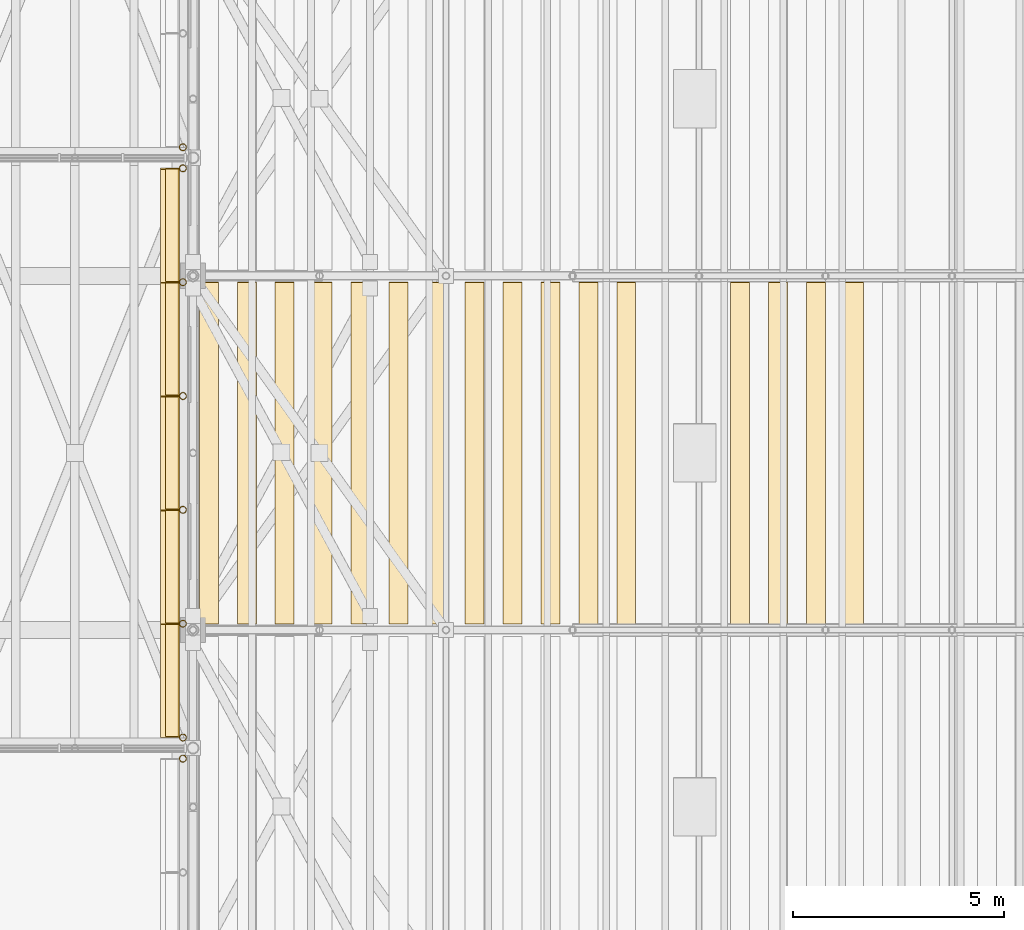
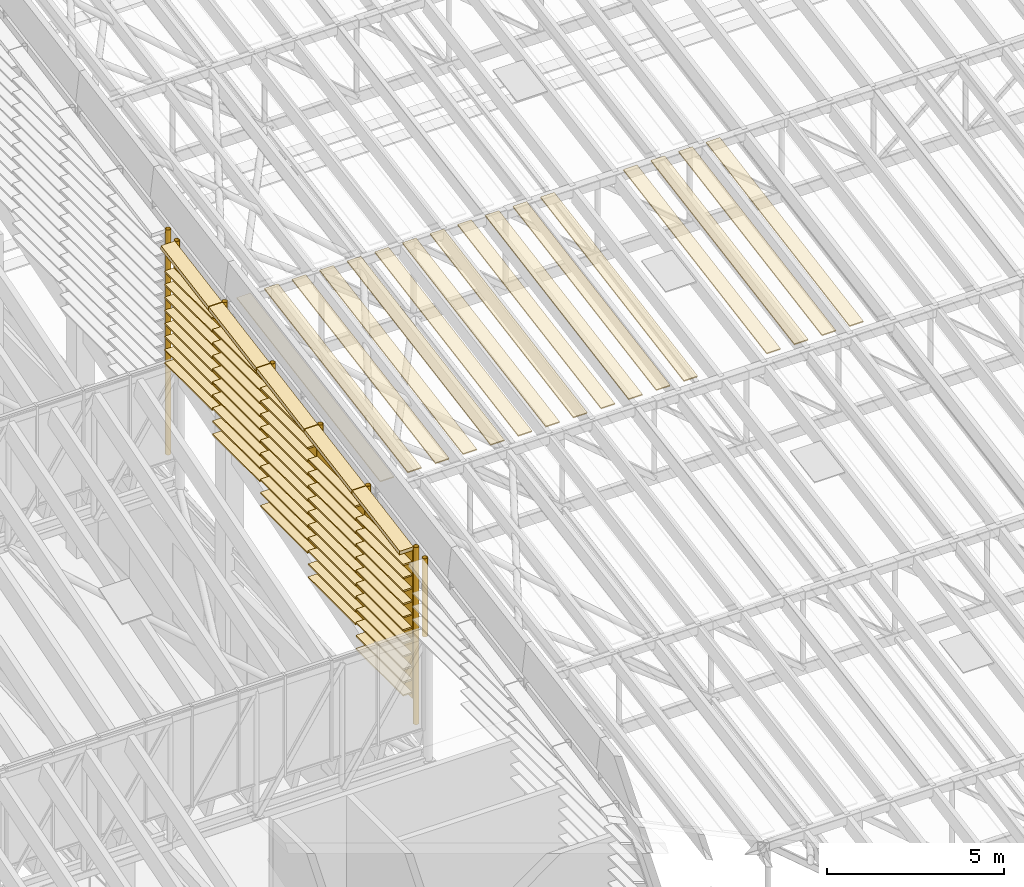
# One storey, part 81 of 91: 74 coverings, 8 shading devices.
"""IFC4 building model written with IfcOpenShell, lengths in metres."""

from ifc_helpers import new_model, si_unit, direction, frame, origin, origin_2d, place, context, subcontext, project, spatial, polyline, rectangle, hollow_circle, outline, extrude, material, layer, layer_set, material_profile, profile_set, type_object, element, save


model = new_model("IFC4")

# Units and contexts
model_context = context("Model", 3, precision=1e-05, world=origin(), true_north=direction((0.0, 1.0)))
body_context = subcontext(model_context, "Body", "Model", "MODEL_VIEW")
ifc_project = project(units=[si_unit("LENGTHUNIT", "METRE"), si_unit("AREAUNIT", "SQUARE_METRE"), si_unit("VOLUMEUNIT", "CUBIC_METRE"), si_unit("PLANEANGLEUNIT", "RADIAN"), si_unit("MASSUNIT", "GRAM", prefix="KILO")], contexts=[model_context])

# Site, building, storey
site_placement = place(None, origin())
site = spatial("IfcSite", under=ifc_project, at=site_placement, CompositionType="ELEMENT")
building_placement = place(site_placement, origin())
building = spatial("IfcBuilding", under=site, at=building_placement, Name="Almond Square Museum", CompositionType="ELEMENT")
storey_placement = place(building_placement, frame((0.0, 0.0, 30.0)))
storey = spatial("IfcBuildingStorey", under=building, at=storey_placement, Name="L05", CompositionType="ELEMENT", Elevation=30.0)

# Coverings
ifc_material_1 = material(Name="Cedar timber roof board", Category="wood")
ifc_layer_1 = layer(ifc_material_1, 0.0400390625)
ifc_layer_set_1 = layer_set([ifc_layer_1], Name="Cedar timber roof board")
covering_type_1 = type_object("IfcCoveringType", Name="Hall roof board 450 x 40", PredefinedType="CLADDING", material=ifc_layer_set_1)
for number, where, z_axis, x_axis, name in (
    (1, (107.39990234375, 92.25, 13.82373046875), (0.0, -0.17237601069, 0.985031223332), (-1.0, 0.0, 0.0), "Hall roof board"),
    (2, (108.300048828125, 92.25, 13.82373046875), (0.0, -0.17237601069, 0.985031223332), (-1.0, 0.0, 0.0), "Hall roof board"),
    (3, (109.199951171875, 92.25, 13.82373046875), (0.0, -0.17237601069, 0.985031223332), (-1.0, 0.0, 0.0), "Hall roof board"),
):
    element("IfcCovering", number, at=place(storey_placement, frame(where, z_axis=z_axis, x_axis=x_axis)), inside=storey, type_object=covering_type_1, Name=name, PredefinedType="CLADDING", context=body_context, shape_type="SweptSolid", body=[
        extrude(outline(polyline([(0.0, 0.0), (0.449951171875, 0.0), (0.449951171875, 8.223188731877341), (0.0, 8.223188731877341), (0.0, 0.0)])), origin(), (0.0, 0.0, 1.0), 0.0400390625),
    ])
covering_1_placement = place(storey_placement, frame((110.10009765625, 92.25, 13.82373046875), z_axis=(0.0, -0.17237601069, 0.985031223332), x_axis=(-1.0, 0.0, 0.0)))
element("IfcCovering", 4, at=covering_1_placement, inside=storey, type_object=covering_type_1, Name="Hall roof board", PredefinedType="CLADDING", context=body_context, shape_type="SweptSolid", body=[
    extrude(outline(polyline([(0.0, 0.0), (0.4501953125, 0.0), (0.4501953125, 8.223188731877341), (0.0, 8.223188731877341), (0.0, 0.0)])), origin(), (0.0, 0.0, 1.0), 0.0400390625),
])
for number, where, z_axis, x_axis, name in (
    (5, (111.0, 92.25, 13.82373046875), (0.0, -0.17237601069, 0.985031223332), (-1.0, 0.0, 0.0), "Hall roof board"),
    (6, (111.89990234375, 92.25, 13.82373046875), (0.0, -0.17237601069, 0.985031223332), (-1.0, 0.0, 0.0), "Hall roof board"),
    (7, (112.800048828125, 92.25, 13.82373046875), (0.0, -0.17237601069, 0.985031223332), (-1.0, 0.0, 0.0), "Hall roof board"),
    (8, (113.699951171875, 92.25, 13.82373046875), (0.0, -0.17237601069, 0.985031223332), (-1.0, 0.0, 0.0), "Hall roof board"),
):
    element("IfcCovering", number, at=place(storey_placement, frame(where, z_axis=z_axis, x_axis=x_axis)), inside=storey, type_object=covering_type_1, Name=name, PredefinedType="CLADDING", context=body_context, shape_type="SweptSolid", body=[
        extrude(outline(polyline([(0.0, 0.0), (0.449951171875, 0.0), (0.449951171875, 8.223188731877341), (0.0, 8.223188731877341), (0.0, 0.0)])), origin(), (0.0, 0.0, 1.0), 0.0400390625),
    ])
covering_2_placement = place(storey_placement, frame((114.60009765625, 92.25, 13.82373046875), z_axis=(0.0, -0.17237601069, 0.985031223332), x_axis=(-1.0, 0.0, 0.0)))
element("IfcCovering", 9, at=covering_2_placement, inside=storey, type_object=covering_type_1, Name="Hall roof board", PredefinedType="CLADDING", context=body_context, shape_type="SweptSolid", body=[
    extrude(outline(polyline([(0.0, 0.0), (0.4501953125, 0.0), (0.4501953125, 8.223188731877341), (0.0, 8.223188731877341), (0.0, 0.0)])), origin(), (0.0, 0.0, 1.0), 0.0400390625),
])
for number, where, z_axis, x_axis, name in (
    (10, (115.5, 92.25, 13.82373046875), (0.0, -0.17237601069, 0.985031223332), (-1.0, 0.0, 0.0), "Hall roof board"),
    (11, (116.39990234375, 92.25, 13.82373046875), (0.0, -0.17237601069, 0.985031223332), (-1.0, 0.0, 0.0), "Hall roof board"),
    (12, (117.300048828125, 92.25, 13.82373046875), (0.0, -0.17237601069, 0.985031223332), (-1.0, 0.0, 0.0), "Hall roof board"),
    (13, (120.0, 92.25, 13.82373046875), (0.0, -0.17237601069, 0.985031223332), (-1.0, 0.0, 0.0), "Hall roof board"),
    (14, (120.89990234375, 92.25, 13.82373046875), (0.0, -0.17237601069, 0.985031223332), (-1.0, 0.0, 0.0), "Hall roof board"),
    (15, (121.800048828125, 92.25, 13.82373046875), (0.0, -0.17237601069, 0.985031223332), (-1.0, 0.0, 0.0), "Hall roof board"),
    (16, (122.699951171875, 92.25, 13.82373046875), (0.0, -0.17237601069, 0.985031223332), (-1.0, 0.0, 0.0), "Hall roof board"),
):
    element("IfcCovering", number, at=place(storey_placement, frame(where, z_axis=z_axis, x_axis=x_axis)), inside=storey, type_object=covering_type_1, Name=name, PredefinedType="CLADDING", context=body_context, shape_type="SweptSolid", body=[
        extrude(outline(polyline([(0.0, 0.0), (0.449951171875, 0.0), (0.449951171875, 8.223188731877341), (0.0, 8.223188731877341), (0.0, 0.0)])), origin(), (0.0, 0.0, 1.0), 0.0400390625),
    ])

# Shading devices
ifc_material_2 = material(Name="Structural steel S355", Category="steel")
ifc_material_profile_1 = material_profile(ifc_material_2, hollow_circle(Radius=0.084228515625, WallThickness=0.008056640625, at=origin_2d()))
ifc_profile_set_1 = profile_set([ifc_material_profile_1], Name="Structural steel S355")
shading_device_type = type_object("IfcShadingDeviceType", Name="Louvre post CHS 168.3 x 8", PredefinedType="USERDEFINED", material=ifc_profile_set_1)
shading_device_1_placement = place(storey_placement, frame((106.560791015625, 80.949951171875, 9.203857421875), z_axis=(0.0, 0.0, 1.0), x_axis=(1.0, 0.0, 0.0)))
element("IfcShadingDevice", 17, at=shading_device_1_placement, inside=storey, type_object=shading_device_type, Name="Louvre screen post", ObjectType="POST", PredefinedType="USERDEFINED", context=body_context, shape_type="SweptSolid", body=[
    extrude(hollow_circle(Radius=0.084228515625, WallThickness=0.008056640625, at=origin_2d()), origin(), (0.0, 0.0, 1.0), 2.6923828125),
])
shading_device_2_placement = place(storey_placement, frame((106.560791015625, 81.449951171875, 5.87646484375), z_axis=(0.0, 0.0, 1.0), x_axis=(1.0, 0.0, 0.0)))
element("IfcShadingDevice", 18, at=shading_device_2_placement, inside=storey, type_object=shading_device_type, Name="Louvre screen post", ObjectType="POST", PredefinedType="USERDEFINED", context=body_context, shape_type="SweptSolid", body=[
    extrude(hollow_circle(Radius=0.084228515625, WallThickness=0.008056640625, at=origin_2d()), origin(), (0.0, 0.0, 1.0), 6.107177734375),
])
shading_device_3_placement = place(storey_placement, frame((106.560791015625, 84.14990234375, 6.701904296875), z_axis=(0.0, 0.0, 1.0), x_axis=(1.0, 0.0, 0.0)))
element("IfcShadingDevice", 19, at=shading_device_3_placement, inside=storey, type_object=shading_device_type, Name="Louvre screen post", ObjectType="POST", PredefinedType="USERDEFINED", context=body_context, shape_type="SweptSolid", body=[
    extrude(hollow_circle(Radius=0.084228515625, WallThickness=0.008056640625, at=origin_2d()), origin(), (0.0, 0.0, 1.0), 5.75439453125),
])
shading_device_4_placement = place(storey_placement, frame((106.560791015625, 86.85009765625, 7.52734375), z_axis=(0.0, 0.0, 1.0), x_axis=(1.0, 0.0, 0.0)))
element("IfcShadingDevice", 20, at=shading_device_4_placement, inside=storey, type_object=shading_device_type, Name="Louvre screen post", ObjectType="POST", PredefinedType="USERDEFINED", context=body_context, shape_type="SweptSolid", body=[
    extrude(hollow_circle(Radius=0.084228515625, WallThickness=0.008056640625, at=origin_2d()), origin(), (0.0, 0.0, 1.0), 5.4013671875),
])
shading_device_5_placement = place(storey_placement, frame((106.560791015625, 89.550048828125, 8.352783203125), z_axis=(0.0, 0.0, 1.0), x_axis=(1.0, 0.0, 0.0)))
element("IfcShadingDevice", 21, at=shading_device_5_placement, inside=storey, type_object=shading_device_type, Name="Louvre screen post", ObjectType="POST", PredefinedType="USERDEFINED", context=body_context, shape_type="SweptSolid", body=[
    extrude(hollow_circle(Radius=0.084228515625, WallThickness=0.008056640625, at=origin_2d()), origin(), (0.0, 0.0, 1.0), 5.048583984375),
])
shading_device_6_placement = place(storey_placement, frame((106.560791015625, 92.25, 9.17822265625), z_axis=(0.0, 0.0, 1.0), x_axis=(1.0, 0.0, 0.0)))
element("IfcShadingDevice", 22, at=shading_device_6_placement, inside=storey, type_object=shading_device_type, Name="Louvre screen post", ObjectType="POST", PredefinedType="USERDEFINED", context=body_context, shape_type="SweptSolid", body=[
    extrude(hollow_circle(Radius=0.084228515625, WallThickness=0.008056640625, at=origin_2d()), origin(), (0.0, 0.0, 1.0), 4.695556640625),
])
shading_device_7_placement = place(storey_placement, frame((106.560791015625, 94.949951171875, 10.00390625), z_axis=(0.0, 0.0, 1.0), x_axis=(1.0, 0.0, 0.0)))
element("IfcShadingDevice", 23, at=shading_device_7_placement, inside=storey, type_object=shading_device_type, Name="Louvre screen post", ObjectType="POST", PredefinedType="USERDEFINED", context=body_context, shape_type="SweptSolid", body=[
    extrude(hollow_circle(Radius=0.084228515625, WallThickness=0.008056640625, at=origin_2d()), origin(), (0.0, 0.0, 1.0), 4.34228515625),
])
shading_device_8_placement = place(storey_placement, frame((106.560791015625, 95.449951171875, 6.676513671875), z_axis=(0.0, 0.0, 1.0), x_axis=(1.0, 0.0, 0.0)))
element("IfcShadingDevice", 24, at=shading_device_8_placement, inside=storey, type_object=shading_device_type, Name="Louvre screen post", ObjectType="POST", PredefinedType="USERDEFINED", context=body_context, shape_type="SweptSolid", body=[
    extrude(hollow_circle(Radius=0.084228515625, WallThickness=0.008056640625, at=origin_2d()), origin(), (0.0, 0.0, 1.0), 7.75732421875),
])

# Coverings
ifc_material_3 = material(Name="Cedar timber sheathing panel", Category="wood")
ifc_layer_2 = layer(ifc_material_3, 0.030029296875)
ifc_layer_set_2 = layer_set([ifc_layer_2], Name="Cedar timber sheathing panel")
covering_type_2 = type_object("IfcCoveringType", Name="Louvre rain-screen backing panel 30", PredefinedType="CLADDING", material=ifc_layer_set_2)
covering_3_placement = place(storey_placement, frame((106.463623046875, 81.4599609375, 6.751953125), z_axis=(1.0, 0.0, 0.0), x_axis=(0.0, 1.0, 0.0)))
element("IfcCovering", 25, at=covering_3_placement, inside=storey, type_object=covering_type_2, Name="Louvre rain-screen backing panel W2 6", PredefinedType="CLADDING", context=body_context, shape_type="SweptSolid", body=[
    extrude(outline(polyline([(0.0, 0.0), (2.679931640625, 0.0), (2.679931640625, 5.091796875), (0.0, 5.091796875), (0.0, 0.0)])), frame((0.0, 0.0, -0.01513671875)), (0.0, 0.0, 1.0), 0.030029296875),
])
covering_4_placement = place(storey_placement, frame((106.463623046875, 84.159912109375, 7.577392578125), z_axis=(1.0, 0.0, 0.0), x_axis=(0.0, 1.0, 0.0)))
element("IfcCovering", 26, at=covering_4_placement, inside=storey, type_object=covering_type_2, Name="Louvre rain-screen backing panel W2 7", PredefinedType="CLADDING", context=body_context, shape_type="SweptSolid", body=[
    extrude(outline(polyline([(0.0, 0.0), (2.68017578125, 0.0), (2.68017578125, 4.73876953125), (0.0, 4.73876953125), (0.0, 0.0)])), frame((0.0, 0.0, -0.01513671875)), (0.0, 0.0, 1.0), 0.030029296875),
])
covering_5_placement = place(storey_placement, frame((106.463623046875, 86.860107421875, 8.40283203125), z_axis=(1.0, 0.0, 0.0), x_axis=(0.0, 1.0, 0.0)))
element("IfcCovering", 27, at=covering_5_placement, inside=storey, type_object=covering_type_2, Name="Louvre rain-screen backing panel W2 8", PredefinedType="CLADDING", context=body_context, shape_type="SweptSolid", body=[
    extrude(outline(polyline([(0.0, 0.0), (2.679931640625, 0.0), (2.679931640625, 4.385986328125), (0.0, 4.385986328125), (0.0, 0.0)])), frame((0.0, 0.0, -0.01513671875)), (0.0, 0.0, 1.0), 0.030029296875),
])
covering_6_placement = place(storey_placement, frame((106.463623046875, 89.56005859375, 9.228271484375), z_axis=(1.0, 0.0, 0.0), x_axis=(0.0, 1.0, 0.0)))
element("IfcCovering", 28, at=covering_6_placement, inside=storey, type_object=covering_type_2, Name="Louvre rain-screen backing panel W2 9", PredefinedType="CLADDING", context=body_context, shape_type="SweptSolid", body=[
    extrude(outline(polyline([(0.0, 0.0), (2.679931640625, 0.0), (2.679931640625, 4.032958984375), (0.0, 4.032958984375), (0.0, 0.0)])), frame((0.0, 0.0, -0.01513671875)), (0.0, 0.0, 1.0), 0.030029296875),
])
covering_7_placement = place(storey_placement, frame((106.463623046875, 92.260009765625, 10.0537109375), z_axis=(1.0, 0.0, 0.0), x_axis=(0.0, 1.0, 0.0)))
element("IfcCovering", 29, at=covering_7_placement, inside=storey, type_object=covering_type_2, Name="Louvre rain-screen backing panel W2 10", PredefinedType="CLADDING", context=body_context, shape_type="SweptSolid", body=[
    extrude(outline(polyline([(0.0, 0.0), (2.679931640625, 0.0), (2.679931640625, 3.68017578125), (0.0, 3.68017578125), (0.0, 0.0)])), frame((0.0, 0.0, -0.01513671875)), (0.0, 0.0, 1.0), 0.030029296875),
])
ifc_material_4 = material(Name="Cedar timber louvre board", Category="wood")
ifc_material_profile_2 = material_profile(ifc_material_4, rectangle(XDim=0.300048828125, YDim=0.050048828125, at=origin_2d()))
ifc_profile_set_2 = profile_set([ifc_material_profile_2], Name="Cedar timber louvre board")
covering_type_3 = type_object("IfcCoveringType", Name="Louvre screen board 300 x 50", PredefinedType="CLADDING", material=ifc_profile_set_2)
for number, where, z_axis, x_axis, name in (
    (30, (106.302734375, 81.469970703125, 6.951904296875), (0.0, 1.0, 0.0), (-1.0, 0.0, 0.0), "Louvre screen board"),
    (31, (106.302734375, 81.469970703125, 7.40185546875), (0.0, 1.0, 0.0), (-1.0, 0.0, 0.0), "Louvre screen board"),
    (32, (106.302734375, 81.469970703125, 7.851806640625), (0.0, 1.0, 0.0), (-1.0, 0.0, 0.0), "Louvre screen board"),
    (33, (106.302734375, 81.469970703125, 8.302001953125), (0.0, 1.0, 0.0), (-1.0, 0.0, 0.0), "Louvre screen board"),
    (34, (106.302734375, 81.469970703125, 8.751953125), (0.0, 1.0, 0.0), (-1.0, 0.0, 0.0), "Louvre screen board"),
    (35, (106.302734375, 81.469970703125, 9.201904296875), (0.0, 1.0, 0.0), (-1.0, 0.0, 0.0), "Louvre screen board"),
    (36, (106.302734375, 81.469970703125, 9.65185546875), (0.0, 1.0, 0.0), (-1.0, 0.0, 0.0), "Louvre screen board"),
    (37, (106.302734375, 81.469970703125, 10.101806640625), (0.0, 1.0, 0.0), (-1.0, 0.0, 0.0), "Louvre screen board"),
    (38, (106.302734375, 81.469970703125, 10.552001953125), (0.0, 1.0, 0.0), (-1.0, 0.0, 0.0), "Louvre screen board"),
    (39, (106.302734375, 81.469970703125, 11.001953125), (0.0, 1.0, 0.0), (-1.0, 0.0, 0.0), "Louvre screen board"),
    (40, (106.302734375, 81.469970703125, 11.451904296875), (0.0, 1.0, 0.0), (-1.0, 0.0, 0.0), "Louvre screen board"),
):
    element("IfcCovering", number, at=place(storey_placement, frame(where, z_axis=z_axis, x_axis=x_axis)), inside=storey, type_object=covering_type_3, Name=name, PredefinedType="CLADDING", context=body_context, shape_type="SweptSolid", body=[
        extrude(rectangle(XDim=0.300048828125, YDim=0.050048828125, at=origin_2d()), origin(), (0.0, 0.0, 1.0), 2.659912109375),
    ])
for number, where, z_axis, x_axis, name in (
    (41, (106.302734375, 84.169921875, 7.77734375), (0.0, 1.0, 0.0), (-1.0, 0.0, 0.0), "Louvre screen board"),
    (42, (106.302734375, 84.169921875, 8.227294921875), (0.0, 1.0, 0.0), (-1.0, 0.0, 0.0), "Louvre screen board"),
    (43, (106.302734375, 84.169921875, 8.677490234375), (0.0, 1.0, 0.0), (-1.0, 0.0, 0.0), "Louvre screen board"),
    (44, (106.302734375, 84.169921875, 9.12744140625), (0.0, 1.0, 0.0), (-1.0, 0.0, 0.0), "Louvre screen board"),
    (45, (106.302734375, 84.169921875, 9.577392578125), (0.0, 1.0, 0.0), (-1.0, 0.0, 0.0), "Louvre screen board"),
    (46, (106.302734375, 84.169921875, 10.02734375), (0.0, 1.0, 0.0), (-1.0, 0.0, 0.0), "Louvre screen board"),
    (47, (106.302734375, 84.169921875, 10.477294921875), (0.0, 1.0, 0.0), (-1.0, 0.0, 0.0), "Louvre screen board"),
    (48, (106.302734375, 84.169921875, 10.927490234375), (0.0, 1.0, 0.0), (-1.0, 0.0, 0.0), "Louvre screen board"),
    (49, (106.302734375, 84.169921875, 11.37744140625), (0.0, 1.0, 0.0), (-1.0, 0.0, 0.0), "Louvre screen board"),
    (50, (106.302734375, 84.169921875, 11.827392578125), (0.0, 1.0, 0.0), (-1.0, 0.0, 0.0), "Louvre screen board"),
):
    element("IfcCovering", number, at=place(storey_placement, frame(where, z_axis=z_axis, x_axis=x_axis)), inside=storey, type_object=covering_type_3, Name=name, PredefinedType="CLADDING", context=body_context, shape_type="SweptSolid", body=[
        extrude(rectangle(XDim=0.300048828125, YDim=0.050048828125, at=origin_2d()), origin(), (0.0, 0.0, 1.0), 2.66015625),
    ])
for number, where, z_axis, x_axis, name in (
    (51, (106.302734375, 86.8701171875, 8.602783203125), (0.0, 1.0, 0.0), (-1.0, 0.0, 0.0), "Louvre screen board"),
    (52, (106.302734375, 86.8701171875, 9.052734375), (0.0, 1.0, 0.0), (-1.0, 0.0, 0.0), "Louvre screen board"),
    (53, (106.302734375, 86.8701171875, 9.5029296875), (0.0, 1.0, 0.0), (-1.0, 0.0, 0.0), "Louvre screen board"),
    (54, (106.302734375, 86.8701171875, 9.952880859375), (0.0, 1.0, 0.0), (-1.0, 0.0, 0.0), "Louvre screen board"),
    (55, (106.302734375, 86.8701171875, 10.40283203125), (0.0, 1.0, 0.0), (-1.0, 0.0, 0.0), "Louvre screen board"),
    (56, (106.302734375, 86.8701171875, 10.852783203125), (0.0, 1.0, 0.0), (-1.0, 0.0, 0.0), "Louvre screen board"),
    (57, (106.302734375, 86.8701171875, 11.302734375), (0.0, 1.0, 0.0), (-1.0, 0.0, 0.0), "Louvre screen board"),
    (58, (106.302734375, 86.8701171875, 11.7529296875), (0.0, 1.0, 0.0), (-1.0, 0.0, 0.0), "Louvre screen board"),
    (59, (106.302734375, 86.8701171875, 12.202880859375), (0.0, 1.0, 0.0), (-1.0, 0.0, 0.0), "Louvre screen board"),
    (60, (106.302734375, 86.8701171875, 12.65283203125), (0.0, 1.0, 0.0), (-1.0, 0.0, 0.0), "Louvre screen board"),
    (61, (106.302734375, 89.570068359375, 9.42822265625), (0.0, 1.0, 0.0), (-1.0, 0.0, 0.0), "Louvre screen board"),
    (62, (106.302734375, 89.570068359375, 9.87841796875), (0.0, 1.0, 0.0), (-1.0, 0.0, 0.0), "Louvre screen board"),
    (63, (106.302734375, 89.570068359375, 10.328369140625), (0.0, 1.0, 0.0), (-1.0, 0.0, 0.0), "Louvre screen board"),
    (64, (106.302734375, 89.570068359375, 10.7783203125), (0.0, 1.0, 0.0), (-1.0, 0.0, 0.0), "Louvre screen board"),
    (65, (106.302734375, 89.570068359375, 11.228271484375), (0.0, 1.0, 0.0), (-1.0, 0.0, 0.0), "Louvre screen board"),
    (66, (106.302734375, 89.570068359375, 11.67822265625), (0.0, 1.0, 0.0), (-1.0, 0.0, 0.0), "Louvre screen board"),
    (67, (106.302734375, 89.570068359375, 12.12841796875), (0.0, 1.0, 0.0), (-1.0, 0.0, 0.0), "Louvre screen board"),
    (68, (106.302734375, 89.570068359375, 12.578369140625), (0.0, 1.0, 0.0), (-1.0, 0.0, 0.0), "Louvre screen board"),
    (69, (106.302734375, 89.570068359375, 13.0283203125), (0.0, 1.0, 0.0), (-1.0, 0.0, 0.0), "Louvre screen board"),
    (70, (106.302734375, 92.27001953125, 10.25390625), (0.0, 1.0, 0.0), (-1.0, 0.0, 0.0), "Louvre screen board"),
    (71, (106.302734375, 92.27001953125, 10.703857421875), (0.0, 1.0, 0.0), (-1.0, 0.0, 0.0), "Louvre screen board"),
    (72, (106.302734375, 92.27001953125, 11.15380859375), (0.0, 1.0, 0.0), (-1.0, 0.0, 0.0), "Louvre screen board"),
    (73, (106.302734375, 92.27001953125, 11.603759765625), (0.0, 1.0, 0.0), (-1.0, 0.0, 0.0), "Louvre screen board"),
    (74, (106.302734375, 92.27001953125, 12.0537109375), (0.0, 1.0, 0.0), (-1.0, 0.0, 0.0), "Louvre screen board"),
    (75, (106.302734375, 92.27001953125, 12.50390625), (0.0, 1.0, 0.0), (-1.0, 0.0, 0.0), "Louvre screen board"),
    (76, (106.302734375, 92.27001953125, 12.953857421875), (0.0, 1.0, 0.0), (-1.0, 0.0, 0.0), "Louvre screen board"),
    (77, (106.302734375, 92.27001953125, 13.40380859375), (0.0, 1.0, 0.0), (-1.0, 0.0, 0.0), "Louvre screen board"),
):
    element("IfcCovering", number, at=place(storey_placement, frame(where, z_axis=z_axis, x_axis=x_axis)), inside=storey, type_object=covering_type_3, Name=name, PredefinedType="CLADDING", context=body_context, shape_type="SweptSolid", body=[
        extrude(rectangle(XDim=0.300048828125, YDim=0.050048828125, at=origin_2d()), origin(), (0.0, 0.0, 1.0), 2.659912109375),
    ])
ifc_material_5 = material(Name="Cedar timber louvre board", Category="wood")
ifc_material_profile_3 = material_profile(ifc_material_5, rectangle(XDim=0.449951171875, YDim=0.139892578125, at=origin_2d()))
ifc_profile_set_3 = profile_set([ifc_material_profile_3], Name="Cedar timber louvre board")
covering_type_4 = type_object("IfcCoveringType", Name="Louvre skin fascia 450 x 140", PredefinedType="CLADDING", material=ifc_profile_set_3)
covering_8_placement = place(storey_placement, frame((106.255615234375, 81.4599609375, 11.913818359375), z_axis=(0.0, 0.984816056222, 0.173601081242), x_axis=(-1.0, 0.0, 0.0)))
element("IfcCovering", 78, at=covering_8_placement, inside=storey, type_object=covering_type_4, Name="Louvre skin fascia", PredefinedType="CLADDING", context=body_context, shape_type="SweptSolid", body=[
    extrude(rectangle(XDim=0.449951171875, YDim=0.139892578125, at=origin_2d()), origin(), (0.0, 0.0, 1.0), 2.72119140625),
])
covering_9_placement = place(storey_placement, frame((106.255615234375, 84.159912109375, 12.38623046875), z_axis=(0.0, 0.984818759674, 0.173585744213), x_axis=(-1.0, 0.0, 0.0)))
element("IfcCovering", 79, at=covering_9_placement, inside=storey, type_object=covering_type_4, Name="Louvre skin fascia", PredefinedType="CLADDING", context=body_context, shape_type="SweptSolid", body=[
    extrude(rectangle(XDim=0.449951171875, YDim=0.139892578125, at=origin_2d()), origin(), (0.0, 0.0, 1.0), 2.721435546875),
])
for number, where, z_axis, x_axis, name in (
    (80, (106.255615234375, 86.860107421875, 12.858642578125), (0.0, 0.984800714254, 0.173688091719), (-1.0, 0.0, 0.0), "Louvre skin fascia"),
    (81, (106.255615234375, 89.56005859375, 13.331298828125), (0.0, 0.984816056222, 0.173601081242), (-1.0, 0.0, 0.0), "Louvre skin fascia"),
    (82, (106.255615234375, 92.260009765625, 13.8037109375), (0.0, 0.984800714254, 0.173688091719), (-1.0, 0.0, 0.0), "Louvre skin fascia"),
):
    element("IfcCovering", number, at=place(storey_placement, frame(where, z_axis=z_axis, x_axis=x_axis)), inside=storey, type_object=covering_type_4, Name=name, PredefinedType="CLADDING", context=body_context, shape_type="SweptSolid", body=[
        extrude(rectangle(XDim=0.449951171875, YDim=0.139892578125, at=origin_2d()), origin(), (0.0, 0.0, 1.0), 2.72119140625),
    ])

save(model, "model.ifc")
